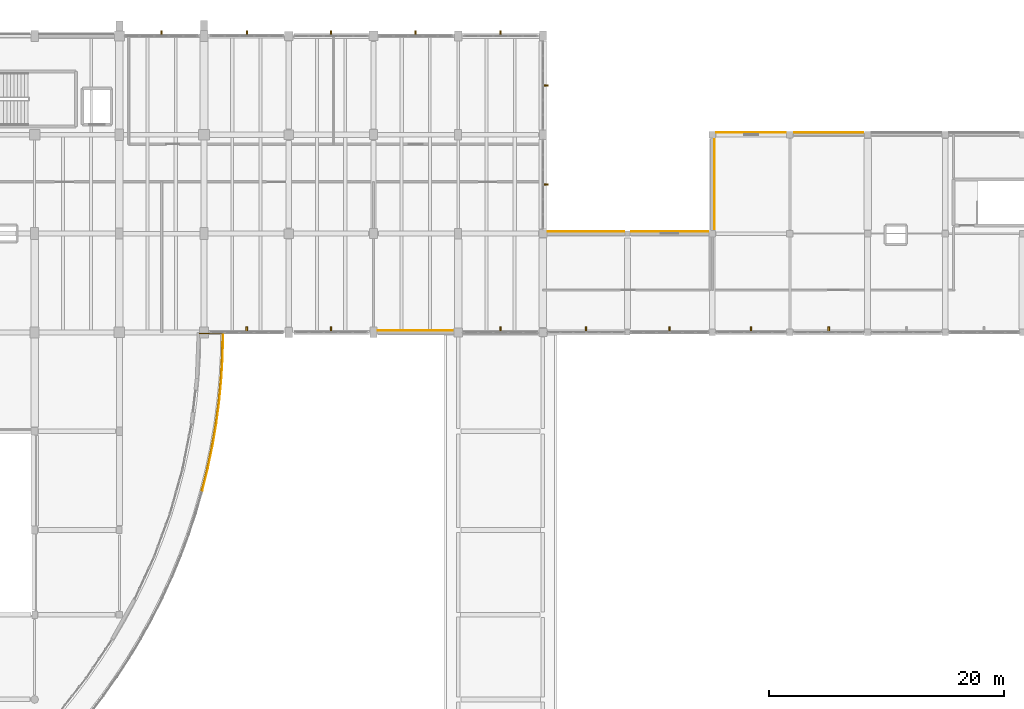
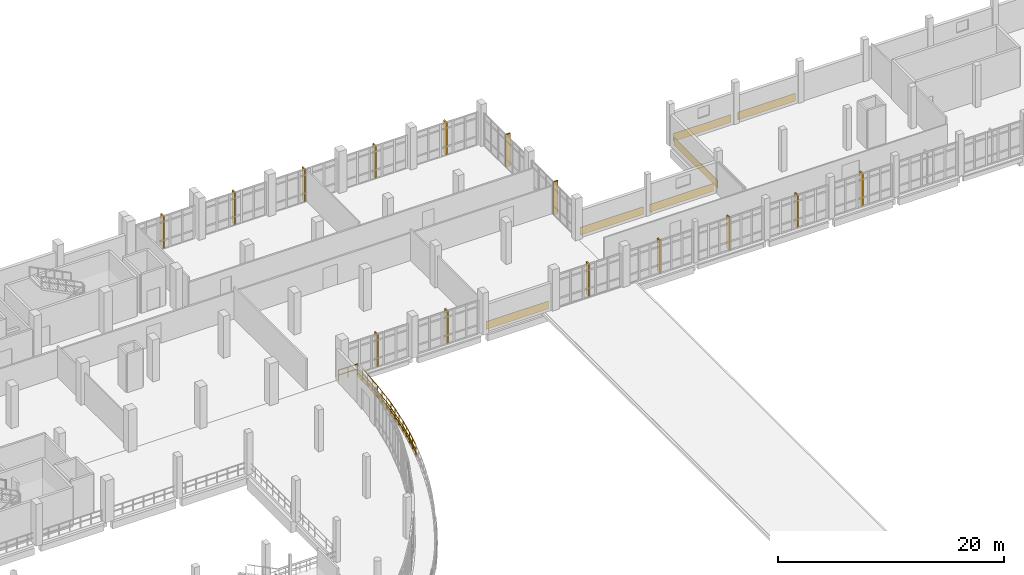
# One storey, part 132 of 134: 14 shading devices, 13 coverings, 8 railings.
"""IFC4 building model written with IfcOpenShell, lengths in metres."""

import ifcopenshell
import ifcopenshell.guid

model = None  # the IFC model being written
_history = None  # IfcOwnerHistory: only IFC2X3 demands one
_inside = {}  # id of a spatial element -> (the spatial element, [elements in it])
_under = {}  # id of a project, library or spatial element -> (it, [spatial elements below it])
_declared = {}  # id of a project -> (the project, [libraries it declares])
_typed = {}  # id of a type object -> (the type object, [elements of that type])
_made_of = {}  # id of a material, layer set ... -> (it, [elements and type objects made of it])


def new_model(schema):
    """Start an empty IFC model of exactly this schema.

    Asked for "IFC4X3", IfcOpenShell would pick the latest addendum, in which some entities
    have other attributes; the version numbers below select the first issue.
    IFC2X3 requires an IfcOwnerHistory on every rooted entity: one is made here for all.
    """
    global model, _history
    if schema == "IFC4X3":
        model = ifcopenshell.file(schema_version=(4, 3, 0, 0))
    else:
        model = ifcopenshell.file(schema=schema)
    _inside.clear()
    _under.clear()
    _declared.clear()
    _typed.clear()
    _made_of.clear()
    _history = None
    if model.schema == "IFC2X3":
        org = make("IfcOrganization", Name="unknown")
        user = make(
            "IfcPersonAndOrganization",
            ThePerson=make("IfcPerson", FamilyName="unknown"),
            TheOrganization=org,
        )
        app = make(
            "IfcApplication",
            ApplicationDeveloper=org,
            Version="unknown",
            ApplicationFullName="unknown",
            ApplicationIdentifier="unknown",
        )
        _history = make(
            "IfcOwnerHistory",
            OwningUser=user,
            OwningApplication=app,
            ChangeAction="ADDED",
            CreationDate=0,
        )
    return model


def make(cls, **values):
    """One entity of the class cls with the attributes given. An attribute that is None is left unset."""
    return model.create_entity(
        cls, **{name: value for name, value in values.items() if value is not None}
    )


def rooted(cls, **values):
    """An entity with a GlobalId (a new one), such as an element, a storey or a relation."""
    return make(cls, GlobalId=ifcopenshell.guid.new(), OwnerHistory=_history, **values)


def si_unit(unit_type, name, prefix=None):
    """IfcSIUnit, for example si_unit("LENGTHUNIT", "METRE", prefix="MILLI")."""
    return make("IfcSIUnit", UnitType=unit_type, Prefix=prefix, Name=name)


def assignment(units):
    """IfcUnitAssignment: the units of a project."""
    return None if units is None else make("IfcUnitAssignment", Units=units)


def point(xyz):
    """IfcCartesianPoint."""
    return None if xyz is None else make("IfcCartesianPoint", Coordinates=xyz)


def direction(xyz):
    """IfcDirection."""
    return None if xyz is None else make("IfcDirection", DirectionRatios=xyz)


def frame(location, z_axis=None, x_axis=None):
    """IfcAxis2Placement3D, a coordinate frame: its origin and axes. An axis left out is left unset."""
    return make(
        "IfcAxis2Placement3D",
        Location=point(location),
        Axis=direction(z_axis),
        RefDirection=direction(x_axis),
    )


def frame_2d(location, x_axis=None):
    """IfcAxis2Placement2D, a coordinate frame in the plane: its origin and x axis."""
    return make(
        "IfcAxis2Placement2D", Location=point(location), RefDirection=direction(x_axis)
    )


def origin():
    """The frame at (0, 0, 0) with its axes left unset."""
    return frame((0.0, 0.0, 0.0))


def origin_2d():
    """The frame at (0, 0) in the plane with its x axis left unset."""
    return frame_2d((0.0, 0.0))


def place(relative_to, where):
    """IfcLocalPlacement: puts the frame where relative to a parent placement (None: the world)."""
    return make(
        "IfcLocalPlacement", PlacementRelTo=relative_to, RelativePlacement=where
    )


def context(
    kind, dimensions, precision=None, world=None, true_north=None, identifier=None
):
    """IfcGeometricRepresentationContext, for example the 3D "Model" context."""
    return make(
        "IfcGeometricRepresentationContext",
        ContextIdentifier=identifier,
        ContextType=kind,
        CoordinateSpaceDimension=dimensions,
        Precision=precision,
        WorldCoordinateSystem=world,
        TrueNorth=true_north,
    )


def subcontext(parent, identifier, kind, view, scale=None):
    """IfcGeometricRepresentationSubContext, for example "Body" below "Model"."""
    return make(
        "IfcGeometricRepresentationSubContext",
        ContextIdentifier=identifier,
        ContextType=kind,
        ParentContext=parent,
        TargetScale=scale,
        TargetView=view,
    )


def project(units=None, contexts=None):
    """IfcProject with its units and contexts."""
    return rooted(
        "IfcProject",
        Name="project",
        RepresentationContexts=contexts,
        UnitsInContext=assignment(units),
    )


def spatial(cls, under=None, at=None, **own):
    """A site, building, storey or space (cls), placed at a placement, below another one or the project."""
    s = rooted(cls, ObjectPlacement=at, **own)
    if under is not None:
        _under.setdefault(under.id(), (under, []))[1].append(s)
    return s


def profile(cls, at=None, kind="AREA", **sizes):
    """A parametric profile (cls). Its sizes go by their IFC names, for example OverallWidth=200.0."""
    return make(cls, ProfileType=kind, Position=at, **sizes)


def rectangle(**sizes):
    """IfcRectangleProfileDef."""
    return profile("IfcRectangleProfileDef", **sizes)


def circle(**sizes):
    """IfcCircleProfileDef."""
    return profile("IfcCircleProfileDef", **sizes)


def extrude(swept, where, along, depth):
    """IfcExtrudedAreaSolid: the profile swept, set in the frame where, extruded along a direction by depth."""
    return make(
        "IfcExtrudedAreaSolid",
        SweptArea=swept,
        Position=where,
        ExtrudedDirection=direction(along),
        Depth=depth,
    )


def shape(context_of_items, identifier, shape_type, items):
    """IfcShapeRepresentation: the items that make up one representation, for example the "Body"."""
    return make(
        "IfcShapeRepresentation",
        ContextOfItems=context_of_items,
        RepresentationIdentifier=identifier,
        RepresentationType=shape_type,
        Items=items,
    )


def material(Name=None, Category=None):
    """IfcMaterial."""
    return make("IfcMaterial", Name=Name, Category=Category)


def layer(
    of_material, thickness, ventilated=None, Name=None, Category=None, Priority=None
):
    """IfcMaterialLayer: one layer of a wall or slab, of a material (None: an air gap)."""
    return make(
        "IfcMaterialLayer",
        Material=of_material,
        LayerThickness=thickness,
        IsVentilated=ventilated,
        Name=Name,
        Category=Category,
        Priority=Priority,
    )


def layer_set(layers, Name=None):
    """IfcMaterialLayerSet."""
    return make("IfcMaterialLayerSet", MaterialLayers=layers, LayerSetName=Name)


def made_of(thing, what):
    """Note that an element or type object is made of a material, layer set ...; save() writes the relation."""
    if what is not None:
        _made_of.setdefault(what.id(), (what, []))[1].append(thing)
    return thing


def type_object(cls, material=None, **own):
    """A type object (cls), such as IfcWallType, which elements share."""
    return made_of(rooted(cls, **own), material)


def element(
    cls,
    number,
    at=None,
    inside=None,
    cuts=None,
    type_object=None,
    material=None,
    context=None,
    identifier="Body",
    shape_type=None,
    held_by="IfcProductDefinitionShape",
    body=None,
    shapes=None,
    **own,
):
    """One element of the class cls, such as IfcWall. Its Tag is "e" and its number.

    at: its placement. inside: the storey or other place that contains it. cuts: it is an
    opening in that element (IfcRelVoidsElement). A single representation is given by context,
    identifier, shape_type and body (its items); several are given by shapes. held_by: the class
    of the entity that holds the representations. save() writes the other relations.
    """
    e = rooted(cls, Tag="e%d" % number, ObjectPlacement=at, **own)
    if body is not None:
        shapes = [shape(context, identifier, shape_type, body)]
    if shapes is not None:
        e.Representation = make(held_by, Representations=shapes)
    if inside is not None:
        _inside.setdefault(inside.id(), (inside, []))[1].append(e)
    if cuts is not None:
        rooted(
            "IfcRelVoidsElement", RelatingBuildingElement=cuts, RelatedOpeningElement=e
        )
    if type_object is not None:
        _typed.setdefault(type_object.id(), (type_object, []))[1].append(e)
    return made_of(e, material)


def aggregate(whole, parts):
    """IfcRelAggregates: a whole, such as a stair, and the parts it consists of."""
    return rooted("IfcRelAggregates", RelatingObject=whole, RelatedObjects=parts)


def save(model, path):
    """Write the relations noted so far, then the file.

    IfcRelAggregates (storeys below a building ...), IfcRelContainedInSpatialStructure (elements
    in a storey), IfcRelDefinesByType, IfcRelAssociatesMaterial and IfcRelDeclares: one each for
    every whole, place, type object, material and project.
    """
    for whole, parts in _under.values():
        aggregate(whole, parts)
    for where, things in _inside.values():
        rooted(
            "IfcRelContainedInSpatialStructure",
            RelatedElements=things,
            RelatingStructure=where,
        )
    for kind, things in _typed.values():
        rooted("IfcRelDefinesByType", RelatedObjects=things, RelatingType=kind)
    for what, things in _made_of.values():
        rooted("IfcRelAssociatesMaterial", RelatedObjects=things, RelatingMaterial=what)
    for by, libraries in _declared.values():
        rooted("IfcRelDeclares", RelatingContext=by, RelatedDefinitions=libraries)
    model.write(path)


model = new_model("IFC4")

# Units and contexts
model_context = context("Model", 3, precision=1e-05, world=origin(), true_north=direction((0.0, 1.0)))
body_context = subcontext(model_context, "Body", "Model", "MODEL_VIEW")
ifc_project = project(units=[si_unit("LENGTHUNIT", "METRE"), si_unit("AREAUNIT", "SQUARE_METRE"), si_unit("VOLUMEUNIT", "CUBIC_METRE"), si_unit("PLANEANGLEUNIT", "RADIAN"), si_unit("MASSUNIT", "GRAM", prefix="KILO")], contexts=[model_context])

# Site, building, storey
site_placement = place(None, origin())
site = spatial("IfcSite", under=ifc_project, at=site_placement, CompositionType="ELEMENT")
building_placement = place(site_placement, origin())
building = spatial("IfcBuilding", under=site, at=building_placement, Name="Kalluvel Institute of Natural Sciences", CompositionType="ELEMENT")
storey_placement = place(building_placement, frame((0.0, 0.0, 5.39990234375)))
storey = spatial("IfcBuildingStorey", under=building, at=storey_placement, Name="L01", CompositionType="ELEMENT", Elevation=5.39990234375)

# Coverings
ifc_material_1 = material(Name="Sadarahalli Grey Granite Ashlar Concrete M40", Category="masonry")
ifc_layer = layer(ifc_material_1, 0.044921875)
ifc_layer_set = layer_set([ifc_layer], Name="Sadarahalli Grey Granite Ashlar Concrete M40")
covering_type = type_object("IfcCoveringType", Name="COV-CLAD-STONE", PredefinedType="CLADDING", material=ifc_layer_set)
covering_1_placement = place(storey_placement, frame((103.96240234375, 102.969970703125, 0.025146484375), z_axis=(0.0, 0.0, 1.0), x_axis=(1.0, 0.0, 0.0)))
element("IfcCovering", 1, at=covering_1_placement, inside=storey, type_object=covering_type, Name="L01 Sadarahalli granite plinth spandrel cladding 21", PredefinedType="CLADDING", context=body_context, shape_type="SweptSolid", body=[
    extrude(rectangle(XDim=6.364990234375, YDim=0.044921875, at=origin_2d()), origin(), (0.0, 0.0, 1.0), 0.85009765625),
])
for number, where, z_axis, x_axis, name in (
    (2, (86.072021484375, 90.28271484375, -0.31982421875), (0.0, 0.0, 1.0), (0.240736275485, 0.970590565411, 0.0), "L01 curved terrace Sadarahalli stone spandrel fascia 238"),
    (3, (86.504638671875, 92.1787109375, -0.31982421875), (0.0, 0.0, 1.0), (0.204325204139, 0.978903065147, 0.0), "L01 curved terrace Sadarahalli stone spandrel fascia 239"),
    (4, (86.8662109375, 94.089599609375, -0.31982421875), (0.0, 0.0, 1.0), (0.16745706111, 0.98587937025, 0.0), "L01 curved terrace Sadarahalli stone spandrel fascia 240"),
):
    element("IfcCovering", number, at=place(storey_placement, frame(where, z_axis=z_axis, x_axis=x_axis)), inside=storey, type_object=covering_type, Name=name, PredefinedType="CLADDING", context=body_context, shape_type="SweptSolid", body=[
        extrude(rectangle(XDim=1.90478515625, YDim=0.054931640625, at=origin_2d()), origin(), (0.0, 0.0, 1.0), 0.47998046875),
    ])
covering_2_placement = place(storey_placement, frame((87.156005859375, 96.012451171875, -0.31982421875), z_axis=(0.0, 0.0, 1.0), x_axis=(0.13052619222, 0.991444861374, 0.0)))
element("IfcCovering", 5, at=covering_2_placement, inside=storey, type_object=covering_type, Name="L01 curved terrace Sadarahalli stone spandrel fascia 241", PredefinedType="CLADDING", context=body_context, shape_type="SweptSolid", body=[
    extrude(rectangle(XDim=1.904541015625, YDim=0.054931640625, at=origin_2d()), origin(), (0.0, 0.0, 1.0), 0.47998046875),
])
for number, where, z_axis, x_axis, name in (
    (6, (87.373779296875, 97.945068359375, -0.31982421875), (0.0, 0.0, 1.0), (0.093413257074, 0.995627421982, 0.0), "L01 curved terrace Sadarahalli stone spandrel fascia 242"),
    (7, (87.51904296875, 99.88427734375, -0.31982421875), (0.0, 0.0, 1.0), (0.055995764929, 0.998431006284, 0.0), "L01 curved terrace Sadarahalli stone spandrel fascia 243"),
):
    element("IfcCovering", number, at=place(storey_placement, frame(where, z_axis=z_axis, x_axis=x_axis)), inside=storey, type_object=covering_type, Name=name, PredefinedType="CLADDING", context=body_context, shape_type="SweptSolid", body=[
        extrude(rectangle(XDim=1.90478515625, YDim=0.054931640625, at=origin_2d()), origin(), (0.0, 0.0, 1.0), 0.47998046875),
    ])
covering_3_placement = place(storey_placement, frame((87.591796875, 101.82763671875, -0.31982421875), z_axis=(0.0, 0.0, 1.0), x_axis=(0.018673937509, 0.999825626826, 0.0)))
element("IfcCovering", 8, at=covering_3_placement, inside=storey, type_object=covering_type, Name="L01 curved terrace Sadarahalli stone spandrel fascia 244", PredefinedType="CLADDING", context=body_context, shape_type="SweptSolid", body=[
    extrude(rectangle(XDim=1.904541015625, YDim=0.054931640625, at=origin_2d()), origin(), (0.0, 0.0, 1.0), 0.47998046875),
])
covering_4_placement = place(storey_placement, frame((118.46240234375, 111.3798828125, 0.025146484375), z_axis=(0.0, 0.0, 1.0), x_axis=(1.0, 0.0, 0.0)))
element("IfcCovering", 9, at=covering_4_placement, inside=storey, type_object=covering_type, Name="L01 Sadarahalli granite plinth spandrel cladding 348", PredefinedType="CLADDING", context=body_context, shape_type="SweptSolid", body=[
    extrude(rectangle(XDim=6.465087890625, YDim=0.044921875, at=origin_2d()), origin(), (0.0, 0.0, 1.0), 0.85009765625),
])
covering_5_placement = place(storey_placement, frame((125.574951171875, 111.3798828125, 0.025146484375), z_axis=(0.0, 0.0, 1.0), x_axis=(1.0, 0.0, 0.0)))
element("IfcCovering", 10, at=covering_5_placement, inside=storey, type_object=covering_type, Name="L01 Sadarahalli granite plinth spandrel cladding 349", PredefinedType="CLADDING", context=body_context, shape_type="SweptSolid", body=[
    extrude(rectangle(XDim=6.5400390625, YDim=0.044921875, at=origin_2d()), origin(), (0.0, 0.0, 1.0), 0.85009765625),
])
for number, where, z_axis, x_axis, name in (
    (11, (132.5, 119.780029296875, 0.025146484375), (0.0, 0.0, 1.0), (1.0, 0.0, 0.0), "L01 Sadarahalli granite plinth spandrel cladding 350"),
    (12, (139.10009765625, 119.780029296875, 0.025146484375), (0.0, 0.0, 1.0), (1.0, 0.0, 0.0), "L01 Sadarahalli granite plinth spandrel cladding 351"),
):
    element("IfcCovering", number, at=place(storey_placement, frame(where, z_axis=z_axis, x_axis=x_axis)), inside=storey, type_object=covering_type, Name=name, PredefinedType="CLADDING", context=body_context, shape_type="SweptSolid", body=[
        extrude(rectangle(XDim=5.889892578125, YDim=0.044921875, at=origin_2d()), origin(), (0.0, 0.0, 1.0), 0.85009765625),
    ])
covering_6_placement = place(storey_placement, frame((129.3798828125, 115.39990234375, 0.025146484375), z_axis=(0.0, 0.0, 1.0), x_axis=(0.0, 1.0, 0.0)))
element("IfcCovering", 13, at=covering_6_placement, inside=storey, type_object=covering_type, Name="L01 Sadarahalli granite plinth spandrel cladding 360", PredefinedType="CLADDING", context=body_context, shape_type="SweptSolid", body=[
    extrude(rectangle(XDim=7.68994140625, YDim=0.044921875, at=origin_2d()), origin(), (0.0, 0.0, 1.0), 0.85009765625),
])

# Railings
ifc_material_2 = material(Name="Steel E350 Grade 350", Category="steel")
railing_type = type_object("IfcRailingType", Name="RL-BAL-EXT", PredefinedType="BALUSTRADE", material=ifc_material_2)
railing_1_placement = place(storey_placement, frame((85.760498046875, 89.359619140625, 0.0)))
element("IfcRailing", 14, at=railing_1_placement, inside=storey, type_object=railing_type, Name="L01 curved atrium terrace balustrade", PredefinedType="BALUSTRADE", context=body_context, shape_type="SweptSolid", body=[
    extrude(circle(Radius=0.02392578125, at=origin_2d()), frame((0.0, 0.0, 1.09619140625), z_axis=(0.240760300613, 0.970584606126, 0.0), x_axis=(-0.970584606126, 0.240760300613, 0.0)), (0.0, 0.0, 1.0), 1.94189453125),
    extrude(circle(Radius=0.02392578125, at=origin_2d()), frame((0.0, 0.0, 0.56005859375), z_axis=(0.240760300613, 0.970584606126, 0.0), x_axis=(-0.970584606126, 0.240760300613, 0.0)), (0.0, 0.0, 1.0), 1.94189453125),
    extrude(circle(Radius=0.02099609375, at=origin_2d()), origin(), (0.0, 0.0, 1.0), 1.072021484375),
    extrude(circle(Radius=0.02099609375, at=origin_2d()), frame((0.23388671875, 0.9423828125, 0.0)), (0.0, 0.0, 1.0), 1.072021484375),
    extrude(circle(Radius=0.02099609375, at=origin_2d()), frame((0.467529296875, 1.884765625, 0.0)), (0.0, 0.0, 1.0), 1.072021484375),
])
railing_2_placement = place(storey_placement, frame((86.22802734375, 91.244384765625, 0.0)))
element("IfcRailing", 15, at=railing_2_placement, inside=storey, type_object=railing_type, Name="L01 curved atrium terrace balustrade", PredefinedType="BALUSTRADE", context=body_context, shape_type="SweptSolid", body=[
    extrude(circle(Radius=0.02392578125, at=origin_2d()), frame((0.0, 0.0, 1.09619140625), z_axis=(0.204280547818, 0.978912385141, 0.0), x_axis=(-0.978912385141, 0.204280547818, 0.0)), (0.0, 0.0, 1.0), 1.942138671875),
    extrude(circle(Radius=0.02392578125, at=origin_2d()), frame((0.0, 0.0, 0.56005859375), z_axis=(0.204280547818, 0.978912385141, 0.0), x_axis=(-0.978912385141, 0.204280547818, 0.0)), (0.0, 0.0, 1.0), 1.942138671875),
    extrude(circle(Radius=0.02099609375, at=origin_2d()), origin(), (0.0, 0.0, 1.0), 1.072021484375),
    extrude(circle(Radius=0.02099609375, at=origin_2d()), frame((0.1982421875, 0.95068359375, 0.0)), (0.0, 0.0, 1.0), 1.072021484375),
    extrude(circle(Radius=0.02099609375, at=origin_2d()), frame((0.396728515625, 1.901123046875, 0.0)), (0.0, 0.0, 1.0), 1.072021484375),
])
railing_3_placement = place(storey_placement, frame((86.624755859375, 93.1455078125, 0.0)))
element("IfcRailing", 16, at=railing_3_placement, inside=storey, type_object=railing_type, Name="L01 curved atrium terrace balustrade", PredefinedType="BALUSTRADE", context=body_context, shape_type="SweptSolid", body=[
    extrude(circle(Radius=0.02392578125, at=origin_2d()), frame((0.0, 0.0, 1.09619140625), z_axis=(0.167435447021, 0.985883041279, 0.0), x_axis=(-0.985883041279, 0.167435447021, 0.0)), (0.0, 0.0, 1.0), 1.942138671875),
    extrude(circle(Radius=0.02392578125, at=origin_2d()), frame((0.0, 0.0, 0.56005859375), z_axis=(0.167435447021, 0.985883041279, 0.0), x_axis=(-0.985883041279, 0.167435447021, 0.0)), (0.0, 0.0, 1.0), 1.942138671875),
    extrude(circle(Radius=0.02099609375, at=origin_2d()), origin(), (0.0, 0.0, 1.0), 1.072021484375),
    extrude(circle(Radius=0.02099609375, at=origin_2d()), frame((0.16259765625, 0.95751953125, 0.0)), (0.0, 0.0, 1.0), 1.072021484375),
    extrude(circle(Radius=0.02099609375, at=origin_2d()), frame((0.3251953125, 1.914794921875, 0.0)), (0.0, 0.0, 1.0), 1.072021484375),
])
railing_4_placement = place(storey_placement, frame((86.949951171875, 95.060302734375, 0.0)))
element("IfcRailing", 17, at=railing_4_placement, inside=storey, type_object=railing_type, Name="L01 curved atrium terrace balustrade", PredefinedType="BALUSTRADE", context=body_context, shape_type="SweptSolid", body=[
    extrude(circle(Radius=0.02392578125, at=origin_2d()), frame((0.0, 0.0, 1.09619140625), z_axis=(0.130500043009, 0.991448303632, 0.0), x_axis=(-0.991448303632, 0.130500043009, 0.0)), (0.0, 0.0, 1.0), 1.94189453125),
    extrude(circle(Radius=0.02392578125, at=origin_2d()), frame((0.0, 0.0, 0.56005859375), z_axis=(0.130500043009, 0.991448303632, 0.0), x_axis=(-0.991448303632, 0.130500043009, 0.0)), (0.0, 0.0, 1.0), 1.94189453125),
    extrude(circle(Radius=0.02099609375, at=origin_2d()), origin(), (0.0, 0.0, 1.0), 1.072021484375),
    extrude(circle(Radius=0.02099609375, at=origin_2d()), frame((0.126708984375, 0.962646484375, 0.0)), (0.0, 0.0, 1.0), 1.072021484375),
    extrude(circle(Radius=0.02099609375, at=origin_2d()), frame((0.25341796875, 1.92529296875, 0.0)), (0.0, 0.0, 1.0), 1.072021484375),
])
railing_5_placement = place(storey_placement, frame((87.203369140625, 96.985595703125, 0.0)))
element("IfcRailing", 18, at=railing_5_placement, inside=storey, type_object=railing_type, Name="L01 curved atrium terrace balustrade", PredefinedType="BALUSTRADE", context=body_context, shape_type="SweptSolid", body=[
    extrude(circle(Radius=0.02392578125, at=origin_2d()), frame((0.0, 0.0, 1.09619140625), z_axis=(0.093403016211, 0.995628382763, 0.0), x_axis=(-0.995628382763, 0.093403016211, 0.0)), (0.0, 0.0, 1.0), 1.942138671875),
    extrude(circle(Radius=0.02392578125, at=origin_2d()), frame((0.0, 0.0, 0.56005859375), z_axis=(0.093403016211, 0.995628382763, 0.0), x_axis=(-0.995628382763, 0.093403016211, 0.0)), (0.0, 0.0, 1.0), 1.942138671875),
    extrude(circle(Radius=0.02099609375, at=origin_2d()), origin(), (0.0, 0.0, 1.0), 1.072021484375),
    extrude(circle(Radius=0.02099609375, at=origin_2d()), frame((0.0908203125, 0.966796875, 0.0)), (0.0, 0.0, 1.0), 1.072021484375),
    extrude(circle(Radius=0.02099609375, at=origin_2d()), frame((0.181396484375, 1.93359375, 0.0)), (0.0, 0.0, 1.0), 1.072021484375),
])
railing_6_placement = place(storey_placement, frame((87.384765625, 98.919189453125, 0.0)))
element("IfcRailing", 19, at=railing_6_placement, inside=storey, type_object=railing_type, Name="L01 curved atrium terrace balustrade", PredefinedType="BALUSTRADE", context=body_context, shape_type="SweptSolid", body=[
    extrude(circle(Radius=0.02392578125, at=origin_2d()), frame((0.0, 0.0, 1.09619140625), z_axis=(0.056061762182, 0.998427302722, 0.0), x_axis=(-0.998427302722, 0.056061762182, 0.0)), (0.0, 0.0, 1.0), 1.9423828125),
    extrude(circle(Radius=0.02392578125, at=origin_2d()), frame((0.0, 0.0, 0.56005859375), z_axis=(0.056061762182, 0.998427302722, 0.0), x_axis=(-0.998427302722, 0.056061762182, 0.0)), (0.0, 0.0, 1.0), 1.9423828125),
    extrude(circle(Radius=0.02099609375, at=origin_2d()), origin(), (0.0, 0.0, 1.0), 1.072021484375),
    extrude(circle(Radius=0.02099609375, at=origin_2d()), frame((0.054443359375, 0.9697265625, 0.0)), (0.0, 0.0, 1.0), 1.072021484375),
    extrude(circle(Radius=0.02099609375, at=origin_2d()), frame((0.10888671875, 1.939208984375, 0.0)), (0.0, 0.0, 1.0), 1.072021484375),
])
railing_7_placement = place(storey_placement, frame((87.49365234375, 100.8583984375, 0.0)))
element("IfcRailing", 20, at=railing_7_placement, inside=storey, type_object=railing_type, Name="L01 curved atrium terrace balustrade", PredefinedType="BALUSTRADE", context=body_context, shape_type="SweptSolid", body=[
    extrude(circle(Radius=0.02392578125, at=origin_2d()), frame((0.0, 0.0, 1.09619140625), z_axis=(0.019537253812, 0.999809129641, 0.0), x_axis=(-0.999809129641, 0.019537253812, 0.0)), (0.0, 0.0, 1.0), 1.86181640625),
    extrude(circle(Radius=0.02392578125, at=origin_2d()), frame((0.0, 0.0, 0.56005859375), z_axis=(0.019537253812, 0.999809129641, 0.0), x_axis=(-0.999809129641, 0.019537253812, 0.0)), (0.0, 0.0, 1.0), 1.86181640625),
    extrude(circle(Radius=0.02099609375, at=origin_2d()), origin(), (0.0, 0.0, 1.0), 1.072021484375),
    extrude(circle(Radius=0.02099609375, at=origin_2d()), frame((0.01806640625, 0.9306640625, 0.0)), (0.0, 0.0, 1.0), 1.072021484375),
    extrude(circle(Radius=0.02099609375, at=origin_2d()), frame((0.036376953125, 1.861572265625, 0.0)), (0.0, 0.0, 1.0), 1.072021484375),
])
railing_8_placement = place(storey_placement, frame((87.530029296875, 102.719970703125, 0.0)))
element("IfcRailing", 21, at=railing_8_placement, inside=storey, type_object=railing_type, Name="L01 curved atrium terrace balustrade", PredefinedType="BALUSTRADE", context=body_context, shape_type="SweptSolid", body=[
    extrude(circle(Radius=0.02392578125, at=origin_2d()), frame((0.0, 0.0, 1.09619140625), z_axis=(-1.0, 0.0, 0.0), x_axis=(0.0, -1.0, 0.0)), (0.0, 0.0, 1.0), 1.929931640625),
    extrude(circle(Radius=0.02392578125, at=origin_2d()), frame((0.0, 0.0, 0.56005859375), z_axis=(-1.0, 0.0, 0.0), x_axis=(0.0, -1.0, 0.0)), (0.0, 0.0, 1.0), 1.929931640625),
    extrude(circle(Radius=0.02099609375, at=origin_2d()), origin(), (0.0, 0.0, 1.0), 1.072021484375),
    extrude(circle(Radius=0.02099609375, at=origin_2d()), frame((-0.96484375, 0.0, 0.0)), (0.0, 0.0, 1.0), 1.072021484375),
    extrude(circle(Radius=0.02099609375, at=origin_2d()), frame((-1.929931640625, 0.0, 0.0)), (0.0, 0.0, 1.0), 1.072021484375),
])

# Shading devices
shading_device_type = type_object("IfcShadingDeviceType", Name="SHD-FIN-STONE", PredefinedType="USERDEFINED", material=ifc_material_1)
for number, where, z_axis, x_axis, name in (
    (22, (82.375, 128.219970703125, 0.0), (0.0, 0.0, 1.0), (1.0, 0.0, 0.0), "L01 monsoon lancet shading fin 9"),
    (23, (89.64990234375, 128.219970703125, 0.0), (0.0, 0.0, 1.0), (1.0, 0.0, 0.0), "L01 monsoon lancet shading fin 10"),
    (24, (96.78759765625, 128.219970703125, 0.0), (0.0, 0.0, 1.0), (1.0, 0.0, 0.0), "L01 monsoon lancet shading fin 11"),
    (25, (103.987548828125, 128.219970703125, 0.0), (0.0, 0.0, 1.0), (1.0, 0.0, 0.0), "L01 monsoon lancet shading fin 12"),
    (26, (111.21240234375, 128.219970703125, 0.0), (0.0, 0.0, 1.0), (1.0, 0.0, 0.0), "L01 monsoon lancet shading fin 13"),
    (27, (89.625, 103.02001953125, 0.0), (0.0, 0.0, 1.0), (1.0, 0.0, 0.0), "L01 monsoon lancet shading fin 14"),
    (28, (96.78759765625, 103.02001953125, 0.0), (0.0, 0.0, 1.0), (1.0, 0.0, 0.0), "L01 monsoon lancet shading fin 15"),
    (29, (111.21240234375, 103.02001953125, 0.0), (0.0, 0.0, 1.0), (1.0, 0.0, 0.0), "L01 monsoon lancet shading fin 16"),
    (30, (115.02001953125, 115.375, 0.0), (0.0, 0.0, 1.0), (0.0, 1.0, 0.0), "L01 monsoon lancet shading fin 17"),
    (31, (115.02001953125, 123.800048828125, 0.0), (0.0, 0.0, 1.0), (0.0, 1.0, 0.0), "L01 monsoon lancet shading fin 18"),
    (32, (118.47509765625, 103.02001953125, 0.0), (0.0, 0.0, 1.0), (1.0, 0.0, 0.0), "L01 monsoon lancet shading fin 250"),
    (33, (125.5625, 103.02001953125, 0.0), (0.0, 0.0, 1.0), (1.0, 0.0, 0.0), "L01 monsoon lancet shading fin 251"),
    (34, (132.5, 103.02001953125, 0.0), (0.0, 0.0, 1.0), (1.0, 0.0, 0.0), "L01 monsoon lancet shading fin 252"),
    (35, (139.10009765625, 103.02001953125, 0.0), (0.0, 0.0, 1.0), (1.0, 0.0, 0.0), "L01 monsoon lancet shading fin 253"),
):
    element("IfcShadingDevice", number, at=place(storey_placement, frame(where, z_axis=z_axis, x_axis=x_axis)), inside=storey, type_object=shading_device_type, Name=name, ObjectType="MONSOON FIN", PredefinedType="USERDEFINED", context=body_context, shape_type="SweptSolid", body=[
        extrude(rectangle(XDim=0.139892578125, YDim=0.47998046875, at=origin_2d()), origin(), (0.0, 0.0, 1.0), 3.530029296875),
    ])

save(model, "model.ifc")
